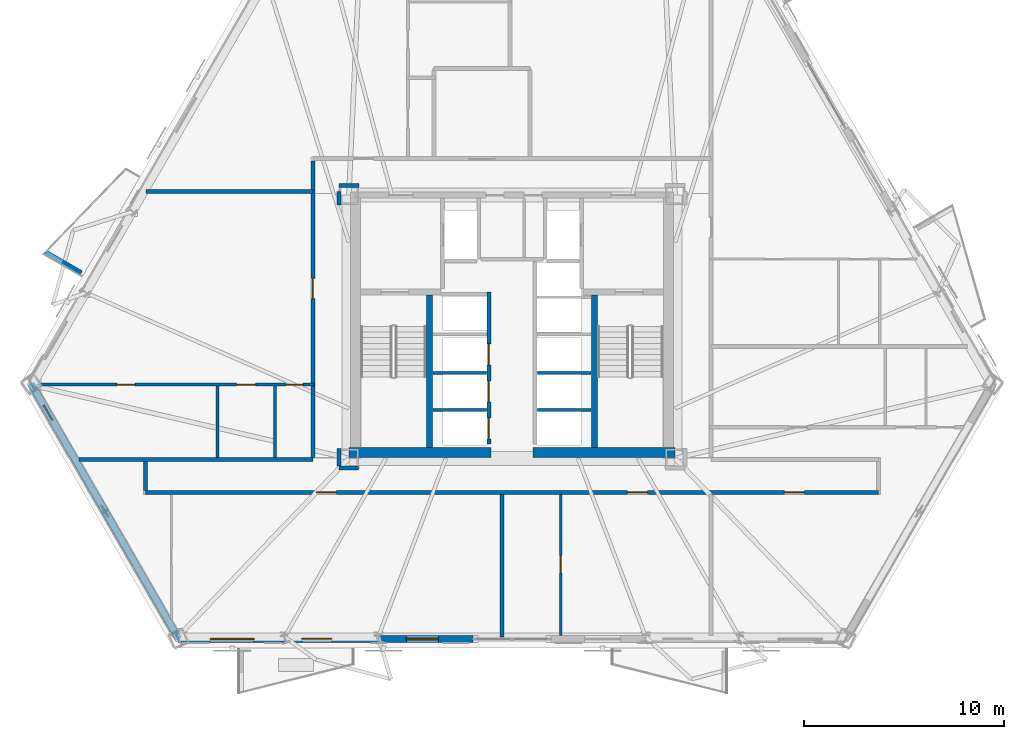
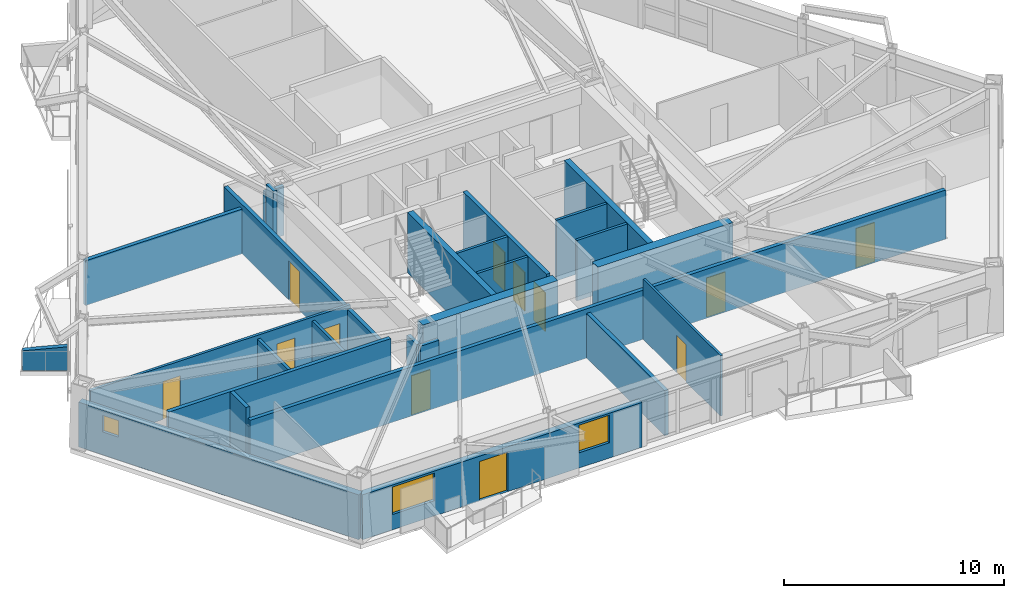
# One storey, part 6 of 15: 26 walls, 12 doors, 3 windows, 15 openings.
"""IFC4 building model written with IfcOpenShell, lengths in metres."""

from ifc_helpers import new_model, si_unit, direction, frame, frame_2d, origin, place, context, subcontext, project, spatial, polyline, rectangle, outline, extrude, material, layer, layer_set, type_object, element, fill, save


model = new_model("IFC4")

# Units and contexts
model_context = context("Model", 3, precision=1e-05, world=origin(), true_north=direction((0.0, 1.0)))
body_context = subcontext(model_context, "Body", "Model", "MODEL_VIEW")
ifc_project = project(units=[si_unit("LENGTHUNIT", "METRE"), si_unit("AREAUNIT", "SQUARE_METRE"), si_unit("VOLUMEUNIT", "CUBIC_METRE"), si_unit("PLANEANGLEUNIT", "RADIAN"), si_unit("MASSUNIT", "GRAM", prefix="KILO")], contexts=[model_context])

# Site, building, storey
site_placement = place(None, origin())
site = spatial("IfcSite", under=ifc_project, at=site_placement, CompositionType="ELEMENT")
building_placement = place(site_placement, origin())
building = spatial("IfcBuilding", under=site, at=building_placement, Name="Oramaril Tower", CompositionType="ELEMENT")
storey_placement = place(building_placement, frame((0.0, 0.0, 48.89990234375)))
storey = spatial("IfcBuildingStorey", under=building, at=storey_placement, Name="L12", CompositionType="ELEMENT", Elevation=48.89990234375)

# Wall, opening, window
ifc_material_1 = material(Name="Warm Cream Limestone", Category="masonry")
ifc_layer_1 = layer(ifc_material_1, 0.340087890625)
ifc_layer_set_1 = layer_set([ifc_layer_1], Name="WT-EXT34")
wall_type_1 = type_object("IfcWallType", Name="WT-EXT34", PredefinedType="SOLIDWALL", material=ifc_layer_set_1)
wall_1_placement = place(storey_placement, frame((13.47900390625, 14.73779296875, 0.0), z_axis=(0.0, 0.0, 1.0), x_axis=(0.499999290135, -0.866025813625, 0.0)))
wall_1 = element("IfcWall", 1, at=wall_1_placement, inside=storey, type_object=wall_type_1, Name="L12 Tower Limestone Facade Wall 1M", PredefinedType="SOLIDWALL", context=body_context, shape_type="SweptSolid", body=[
    extrude(rectangle(XDim=14.7333984375, YDim=0.340087890625, at=frame_2d((7.36669921875, 0.0))), origin(), (0.0, 0.0, 1.0), 2.494140625),
])
opening_1_placement = place(wall_1_placement, frame((1.2509765625, 0.0, 1.280029296875)))
opening_1 = element("IfcOpeningElement", 2, at=opening_1_placement, cuts=wall_1, Name="Opening WN-13", PredefinedType="OPENING", context=body_context, shape_type="SweptSolid", body=[
    extrude(rectangle(XDim=0.85009765625, YDim=0.919921875, at=frame_2d((0.425048828125, 0.4599609375))), frame((0.0, 0.169921875, 0.0), z_axis=(0.0, -1.0, 0.0), x_axis=(1.0, 0.0, 0.0)), (0.0, 0.0, 1.0), 0.340087890625),
])
ifc_material_2 = material(Name="Coastal Low-E Insulated Glass", Category="glass")
window_type_1 = type_object("IfcWindowType", Name="WNT-13", PartitioningType="SINGLE_PANEL", PredefinedType="WINDOW", material=ifc_material_2)
window_1_placement = place(opening_1_placement, origin())
window_1 = element("IfcWindow", 3, at=window_1_placement, inside=storey, type_object=window_type_1, Name="L12 Apartment Bedroom Window WN-13", OverallHeight=0.919921875, OverallWidth=0.85009765625, PartitioningType="SINGLE_PANEL", PredefinedType="WINDOW", context=body_context, shape_type="SweptSolid", body=[
    extrude(rectangle(XDim=0.85009765625, YDim=0.919921875, at=frame_2d((0.425048828125, 0.4599609375))), frame((0.0, 0.030029296875, 0.0), z_axis=(0.0, -1.0, 0.0), x_axis=(1.0, 0.0, 0.0)), (0.0, 0.0, 1.0), 0.06005859375),
])
fill(opening_1, window_1)

# Wall, openings, door, windows
wall_2_placement = place(storey_placement, frame((20.845703125, 1.978271484375, 0.0), z_axis=(0.0, 0.0, 1.0), x_axis=(1.0, 0.0, 0.0)))
wall_2 = element("IfcWall", 4, at=wall_2_placement, inside=storey, type_object=wall_type_1, Name="L12 Tower Limestone Facade Wall 2L", PredefinedType="SOLIDWALL", context=body_context, shape_type="SweptSolid", body=[
    extrude(rectangle(XDim=14.704345703125, YDim=0.340087890625, at=frame_2d((7.35205078125, 0.0))), origin(), (0.0, 0.0, 1.0), 2.494140625),
])
opening_2_placement = place(wall_2_placement, frame((6.159423828125, 0.0, 0.0)))
opening_2 = element("IfcOpeningElement", 5, at=opening_2_placement, cuts=wall_2, Name="Opening D-L12-BAL-S1", PredefinedType="OPENING", context=body_context, shape_type="SweptSolid", body=[
    extrude(rectangle(XDim=1.5, YDim=2.199951171875, at=frame_2d((0.75, 1.10009765625))), frame((0.0, 0.169921875, 0.0), z_axis=(0.0, -1.0, 0.0), x_axis=(1.0, 0.0, 0.0)), (0.0, 0.0, 1.0), 0.340087890625),
])
opening_3_placement = place(wall_2_placement, frame((1.575439453125, 0.0, 0.85009765625)))
opening_3 = element("IfcOpeningElement", 6, at=opening_3_placement, cuts=wall_2, Name="Opening WN-04", PredefinedType="OPENING", context=body_context, shape_type="SweptSolid", body=[
    extrude(rectangle(XDim=2.199951171875, YDim=1.533935546875, at=frame_2d((1.10009765625, 0.76708984375))), frame((0.0, 0.169921875, 0.0), z_axis=(0.0, -1.0, 0.0), x_axis=(1.0, 0.0, 0.0)), (0.0, 0.0, 1.0), 0.340087890625),
])
opening_4_placement = place(wall_2_placement, frame((11.37890625, 0.0, 0.85009765625)))
opening_4 = element("IfcOpeningElement", 7, at=opening_4_placement, cuts=wall_2, Name="Opening WN-07", PredefinedType="OPENING", context=body_context, shape_type="SweptSolid", body=[
    extrude(rectangle(XDim=1.60009765625, YDim=1.533935546875, at=frame_2d((0.800048828125, 0.76708984375))), frame((0.0, 0.169921875, 0.0), z_axis=(0.0, -1.0, 0.0), x_axis=(1.0, 0.0, 0.0)), (0.0, 0.0, 1.0), 0.340087890625),
])
ifc_material_3 = material(Name="Anodised Aluminium 6063-T6", Category="aluminium")
door_type_1 = type_object("IfcDoorType", Name="DT-BAL", OperationType="NOTDEFINED", PredefinedType="DOOR", material=ifc_material_3)
door_1_placement = place(opening_2_placement, origin())
door_1 = element("IfcDoor", 8, at=door_1_placement, inside=storey, type_object=door_type_1, Name="L12 Balcony Glazed Door L12-BAL-S1", OperationType="SINGLE_SWING_LEFT", OverallHeight=2.199951171875, OverallWidth=1.5, PredefinedType="DOOR", context=body_context, shape_type="SweptSolid", body=[
    extrude(rectangle(XDim=1.5, YDim=2.199951171875, at=frame_2d((0.75, 1.10009765625))), frame((0.0, 0.02490234375, 0.0), z_axis=(0.0, -1.0, 0.0), x_axis=(1.0, 0.0, 0.0)), (0.0, 0.0, 1.0), 0.050048828125),
])
fill(opening_2, door_1)
ifc_material_4 = material(Name="Coastal Low-E Insulated Glass", Category="glass")
window_type_2 = type_object("IfcWindowType", Name="WNT-04", PartitioningType="SINGLE_PANEL", PredefinedType="WINDOW", material=ifc_material_4)
window_2_placement = place(opening_3_placement, origin())
window_2 = element("IfcWindow", 9, at=window_2_placement, inside=storey, type_object=window_type_2, Name="L12 Chicago Bay Window WN-04", OverallHeight=1.533935546875, OverallWidth=2.199951171875, PartitioningType="SINGLE_PANEL", PredefinedType="WINDOW", context=body_context, shape_type="SweptSolid", body=[
    extrude(rectangle(XDim=2.199951171875, YDim=1.533935546875, at=frame_2d((1.10009765625, 0.76708984375))), frame((0.0, 0.030029296875, 0.0), z_axis=(0.0, -1.0, 0.0), x_axis=(1.0, 0.0, 0.0)), (0.0, 0.0, 1.0), 0.06005859375),
])
fill(opening_3, window_2)
ifc_material_5 = material(Name="Coastal Low-E Insulated Glass", Category="glass")
window_type_3 = type_object("IfcWindowType", Name="WNT-07", PartitioningType="SINGLE_PANEL", PredefinedType="WINDOW", material=ifc_material_5)
window_3_placement = place(opening_4_placement, origin())
window_3 = element("IfcWindow", 10, at=window_3_placement, inside=storey, type_object=window_type_3, Name="L12 Chicago Bay Window WN-07", OverallHeight=1.533935546875, OverallWidth=1.60009765625, PartitioningType="SINGLE_PANEL", PredefinedType="WINDOW", context=body_context, shape_type="SweptSolid", body=[
    extrude(rectangle(XDim=1.60009765625, YDim=1.533935546875, at=frame_2d((0.800048828125, 0.76708984375))), frame((0.0, 0.030029296875, 0.0), z_axis=(0.0, -1.0, 0.0), x_axis=(1.0, 0.0, 0.0)), (0.0, 0.0, 1.0), 0.06005859375),
])
fill(opening_4, window_3)

# Wall
ifc_material_6 = material(Name="Concrete C40/50", Category="concrete")
ifc_layer_2 = layer(ifc_material_6, 0.22998046875)
ifc_layer_set_2 = layer_set([ifc_layer_2], Name="WT-PRP23")
wall_type_2 = type_object("IfcWallType", Name="WT-PRP23", PredefinedType="PARAPET", material=ifc_layer_set_2)
wall_3_placement = place(storey_placement, frame((15.980712890625, 20.26708984375, 0.0), z_axis=(0.0, 0.0, 1.0), x_axis=(-0.866012356593, 0.500022597718, 0.0)))
element("IfcWall", 11, at=wall_3_placement, inside=storey, type_object=wall_type_2, Name="L12 Trapezoidal Balcony Frame Cheek L12-BAL-NW2-R", PredefinedType="PARAPET", context=body_context, shape_type="SweptSolid", body=[
    extrude(outline(polyline([(0.0, 0.0), (2.0419921875, 0.0), (2.0419921875, 1.10009765625), (0.0, 1.320068359375), (0.0, 0.0)])), frame((0.0, 0.114990234375, 0.0), z_axis=(0.0, -1.0, 0.0), x_axis=(1.0, 0.0, 0.0)), (0.0, 0.0, 1.0), 0.22998046875),
])

# Wall, opening, door
ifc_material_7 = material(Name="Acoustic Gypsum Board Partition")
ifc_layer_3 = layer(ifc_material_7, 0.1201171875)
ifc_layer_set_3 = layer_set([ifc_layer_3], Name="WT-PT12")
wall_type_3 = type_object("IfcWallType", Name="WT-PT12", PredefinedType="PARTITIONING", material=ifc_layer_set_3)
wall_4_placement = place(storey_placement, frame((39.929931640625, 2.15234375, 0.0), z_axis=(0.0, 0.0, 1.0), x_axis=(0.0, 1.0, 0.0)))
wall_4 = element("IfcWall", 12, at=wall_4_placement, inside=storey, type_object=wall_type_3, Name="L12 Interior Partition PT-12", PredefinedType="PARTITIONING", context=body_context, shape_type="SweptSolid", body=[
    extrude(rectangle(XDim=7.043701171875, YDim=0.1201171875, at=frame_2d((3.52197265625, 0.0))), origin(), (0.0, 0.0, 1.0), 3.360107421875),
])
opening_5_placement = place(wall_4_placement, frame((3.121826171875, 0.0, 0.0)))
opening_5 = element("IfcOpeningElement", 13, at=opening_5_placement, cuts=wall_4, Name="Opening D-L12-23", PredefinedType="OPENING", context=body_context, shape_type="SweptSolid", body=[
    extrude(rectangle(XDim=0.8798828125, YDim=2.080078125, at=frame_2d((0.43994140625, 1.0400390625))), frame((0.0, 0.06005859375, 0.0), z_axis=(0.0, -1.0, 0.0), x_axis=(1.0, 0.0, 0.0)), (0.0, 0.0, 1.0), 0.1201171875),
])
ifc_material_8 = material(Name="FSC Brazilian Freijo Hardwood", Category="wood")
door_type_2 = type_object("IfcDoorType", Name="DT-BATH", OperationType="NOTDEFINED", PredefinedType="DOOR", material=ifc_material_8)
door_2_placement = place(opening_5_placement, origin())
door_2 = element("IfcDoor", 14, at=door_2_placement, inside=storey, type_object=door_type_2, Name="L12 Flat L12-U2 Bathroom Door D-L12-23", OperationType="SINGLE_SWING_RIGHT", OverallHeight=2.080078125, OverallWidth=0.8798828125, PredefinedType="DOOR", context=body_context, shape_type="SweptSolid", body=[
    extrude(rectangle(XDim=0.8798828125, YDim=2.080078125, at=frame_2d((0.43994140625, 1.0400390625))), frame((0.0, 0.02490234375, 0.0), z_axis=(0.0, -1.0, 0.0), x_axis=(1.0, 0.0, 0.0)), (0.0, 0.0, 1.0), 0.050048828125),
])
fill(opening_5, door_2)

# Walls
ifc_material_9 = material(Name="Acoustic Gypsum Board Partition")
ifc_layer_4 = layer(ifc_material_9, 0.139892578125)
ifc_layer_set_4 = layer_set([ifc_layer_4], Name="WT-PT14")
wall_type_4 = type_object("IfcWallType", Name="WT-PT14", PredefinedType="PARTITIONING", material=ifc_layer_set_4)
for number, where, z_axis, x_axis, name in (
    (15, (33.56005859375, 13.419921875, 0.0), (0.0, 0.0, 1.0), (1.0, 0.0, 0.0), "L12 West Lift Divider"),
    (16, (33.56005859375, 15.27001953125, 0.0), (0.0, 0.0, 1.0), (1.0, 0.0, 0.0), "L12 West Lift Divider"),
    (17, (38.780029296875, 13.419921875, 0.0), (0.0, 0.0, 1.0), (1.0, 0.0, 0.0), "L12 East Lift Divider"),
    (18, (38.780029296875, 15.27001953125, 0.0), (0.0, 0.0, 1.0), (1.0, 0.0, 0.0), "L12 East Lift Divider"),
):
    element("IfcWall", number, at=place(storey_placement, frame(where, z_axis=z_axis, x_axis=x_axis)), inside=storey, type_object=wall_type_4, Name=name, PredefinedType="PARTITIONING", context=body_context, shape_type="SweptSolid", body=[
        extrude(rectangle(XDim=2.659912109375, YDim=0.139892578125, at=frame_2d((1.330078125, 0.0))), origin(), (0.0, 0.0, 1.0), 3.360107421875),
    ])

# Wall, openings, doors
wall_5_placement = place(storey_placement, frame((13.92529296875, 14.68994140625, 0.0), z_axis=(0.0, 0.0, 1.0), x_axis=(1.0, 0.0, 0.0)))
wall_5 = element("IfcWall", 19, at=wall_5_placement, inside=storey, type_object=wall_type_4, Name="L12 Interior Partition PT-14", PredefinedType="PARTITIONING", context=body_context, shape_type="SweptSolid", body=[
    extrude(rectangle(XDim=13.6748046875, YDim=0.139892578125, at=frame_2d((6.83740234375, 0.0))), origin(), (0.0, 0.0, 1.0), 2.946044921875),
])
opening_6_placement = place(wall_5_placement, frame((3.831298828125, 0.0, 0.0)))
opening_6 = element("IfcOpeningElement", 20, at=opening_6_placement, cuts=wall_5, Name="Opening D-L12-07", PredefinedType="OPENING", context=body_context, shape_type="SweptSolid", body=[
    extrude(rectangle(XDim=0.919921875, YDim=2.1201171875, at=frame_2d((0.4599609375, 1.06005859375))), frame((0.0, 0.06982421875, 0.0), z_axis=(0.0, -1.0, 0.0), x_axis=(1.0, 0.0, 0.0)), (0.0, 0.0, 1.0), 0.139892578125),
])
opening_7_placement = place(wall_5_placement, frame((9.822265625, 0.0, 0.0)))
opening_7 = element("IfcOpeningElement", 21, at=opening_7_placement, cuts=wall_5, Name="Opening D-L12-08", PredefinedType="OPENING", context=body_context, shape_type="SweptSolid", body=[
    extrude(rectangle(XDim=0.949951171875, YDim=2.10009765625, at=frame_2d((0.47509765625, 1.050048828125))), frame((0.0, 0.06982421875, 0.0), z_axis=(0.0, -1.0, 0.0), x_axis=(1.0, 0.0, 0.0)), (0.0, 0.0, 1.0), 0.139892578125),
])
opening_8_placement = place(wall_5_placement, frame((12.254638671875, 0.0, 0.0)))
opening_8 = element("IfcOpeningElement", 22, at=opening_8_placement, cuts=wall_5, Name="Opening D-L12-09", PredefinedType="OPENING", context=body_context, shape_type="SweptSolid", body=[
    extrude(rectangle(XDim=0.8798828125, YDim=2.080078125, at=frame_2d((0.43994140625, 1.0400390625))), frame((0.0, 0.06982421875, 0.0), z_axis=(0.0, -1.0, 0.0), x_axis=(1.0, 0.0, 0.0)), (0.0, 0.0, 1.0), 0.139892578125),
])
door_3_placement = place(opening_8_placement, origin())
door_3 = element("IfcDoor", 23, at=door_3_placement, inside=storey, type_object=door_type_2, Name="L12 Flat L12-U3 Bathroom Door D-L12-09", OperationType="SINGLE_SWING_RIGHT", OverallHeight=2.080078125, OverallWidth=0.8798828125, PredefinedType="DOOR", context=body_context, shape_type="SweptSolid", body=[
    extrude(rectangle(XDim=0.8798828125, YDim=2.080078125, at=frame_2d((0.43994140625, 1.0400390625))), frame((0.0, 0.02490234375, 0.0), z_axis=(0.0, -1.0, 0.0), x_axis=(1.0, 0.0, 0.0)), (0.0, 0.0, 1.0), 0.050048828125),
])
fill(opening_8, door_3)
ifc_material_10 = material(Name="FSC Brazilian Freijo Hardwood", Category="wood")
door_type_3 = type_object("IfcDoorType", Name="DT-BED", OperationType="NOTDEFINED", PredefinedType="DOOR", material=ifc_material_10)
door_4_placement = place(opening_6_placement, origin())
door_4 = element("IfcDoor", 24, at=door_4_placement, inside=storey, type_object=door_type_3, Name="L12 Flat L12-U3 Master Bedroom Door D-L12-07", OperationType="SINGLE_SWING_RIGHT", OverallHeight=2.1201171875, OverallWidth=0.919921875, PredefinedType="DOOR", context=body_context, shape_type="SweptSolid", body=[
    extrude(rectangle(XDim=0.919921875, YDim=2.1201171875, at=frame_2d((0.4599609375, 1.06005859375))), frame((0.0, 0.02490234375, 0.0), z_axis=(0.0, -1.0, 0.0), x_axis=(1.0, 0.0, 0.0)), (0.0, 0.0, 1.0), 0.050048828125),
])
fill(opening_6, door_4)
ifc_material_11 = material(Name="FSC Brazilian Freijo Hardwood", Category="wood")
door_type_4 = type_object("IfcDoorType", Name="DT-STDY", OperationType="NOTDEFINED", PredefinedType="DOOR", material=ifc_material_11)
door_5_placement = place(opening_7_placement, origin())
door_5 = element("IfcDoor", 25, at=door_5_placement, inside=storey, type_object=door_type_4, Name="L12 Flat L12-U3 Kitchen Door D-L12-08", OperationType="SINGLE_SWING_LEFT", OverallHeight=2.10009765625, OverallWidth=0.949951171875, PredefinedType="DOOR", context=body_context, shape_type="SweptSolid", body=[
    extrude(rectangle(XDim=0.949951171875, YDim=2.10009765625, at=frame_2d((0.47509765625, 1.050048828125))), frame((0.0, 0.02490234375, 0.0), z_axis=(0.0, -1.0, 0.0), x_axis=(1.0, 0.0, 0.0)), (0.0, 0.0, 1.0), 0.050048828125),
])
fill(opening_7, door_5)

# Walls
wall_6_placement = place(storey_placement, frame((25.659912109375, 11.053955078125, 0.0), z_axis=(0.0, 0.0, 1.0), x_axis=(0.0, 1.0, 0.0)))
element("IfcWall", 26, at=wall_6_placement, inside=storey, type_object=wall_type_4, Name="L12 Interior Partition PT-14", PredefinedType="PARTITIONING", context=body_context, shape_type="SweptSolid", body=[
    extrude(rectangle(XDim=3.56201171875, YDim=0.139892578125, at=frame_2d((1.781005859375, 0.0))), origin(), (0.0, 0.0, 1.0), 2.738037109375),
])
ifc_material_12 = material(Name="Acoustic Gypsum Board Partition")
ifc_layer_5 = layer(ifc_material_12, 0.159912109375)
ifc_layer_set_5 = layer_set([ifc_layer_5], Name="WT-PT16")
wall_type_5 = type_object("IfcWallType", Name="WT-PT16", PredefinedType="PARTITIONING", material=ifc_layer_set_5)
wall_7_placement = place(storey_placement, frame((22.7900390625, 11.053955078125, 0.0), z_axis=(0.0, 0.0, 1.0), x_axis=(0.0, 1.0, 0.0)))
element("IfcWall", 27, at=wall_7_placement, inside=storey, type_object=wall_type_5, Name="L12 Interior Partition PT-16", PredefinedType="PARTITIONING", context=body_context, shape_type="SweptSolid", body=[
    extrude(rectangle(XDim=3.56201171875, YDim=0.159912109375, at=frame_2d((1.781005859375, 0.0))), origin(), (0.0, 0.0, 1.0), 2.738037109375),
])

# Wall, openings, doors
ifc_material_13 = material(Name="Autoclaved Cellular Concrete Block", Category="concrete")
ifc_layer_6 = layer(ifc_material_13, 0.199951171875)
ifc_layer_set_6 = layer_set([ifc_layer_6], Name="WT-PT20")
wall_type_6 = type_object("IfcWallType", Name="WT-PT20", PredefinedType="PARTITIONING", material=ifc_layer_set_6)
wall_8_placement = place(storey_placement, frame((19.199951171875, 9.300048828125, 0.0), z_axis=(0.0, 0.0, 1.0), x_axis=(1.0, 0.0, 0.0)))
wall_8 = element("IfcWall", 28, at=wall_8_placement, inside=storey, type_object=wall_type_6, Name="L12 Interior Partition PT-20", PredefinedType="PARTITIONING", context=body_context, shape_type="SweptSolid", body=[
    extrude(rectangle(XDim=36.60009765625, YDim=0.199951171875, at=frame_2d((18.300048828125, 0.0))), origin(), (0.0, 0.0, 1.0), 2.738037109375),
])
opening_9_placement = place(wall_8_placement, frame((8.527099609375, 0.0, 0.0)))
opening_9 = element("IfcOpeningElement", 29, at=opening_9_placement, cuts=wall_8, Name="Opening D-L12-01", PredefinedType="OPENING", context=body_context, shape_type="SweptSolid", body=[
    extrude(rectangle(XDim=1.0, YDim=2.179931640625, at=frame_2d((0.5, 1.08984375))), frame((0.0, 0.10009765625, 0.0), z_axis=(0.0, -1.0, 0.0), x_axis=(1.0, 0.0, 0.0)), (0.0, 0.0, 1.0), 0.199951171875),
])
opening_10_placement = place(wall_8_placement, frame((24.0615234375, 0.0, 0.0)))
opening_10 = element("IfcOpeningElement", 30, at=opening_10_placement, cuts=wall_8, Name="Opening D-L12-02", PredefinedType="OPENING", context=body_context, shape_type="SweptSolid", body=[
    extrude(rectangle(XDim=1.0, YDim=2.179931640625, at=frame_2d((0.5, 1.08984375))), frame((0.0, 0.10009765625, 0.0), z_axis=(0.0, -1.0, 0.0), x_axis=(1.0, 0.0, 0.0)), (0.0, 0.0, 1.0), 0.199951171875),
])
opening_11_placement = place(wall_8_placement, frame((31.904052734375, 0.0, 0.0)))
opening_11 = element("IfcOpeningElement", 31, at=opening_11_placement, cuts=wall_8, Name="Opening D-L12-03", PredefinedType="OPENING", context=body_context, shape_type="SweptSolid", body=[
    extrude(rectangle(XDim=1.0, YDim=2.179931640625, at=frame_2d((0.5, 1.08984375))), frame((0.0, 0.10009765625, 0.0), z_axis=(0.0, -1.0, 0.0), x_axis=(1.0, 0.0, 0.0)), (0.0, 0.0, 1.0), 0.199951171875),
])
ifc_material_14 = material(Name="FSC Brazilian Freijo Hardwood", Category="wood")
door_type_5 = type_object("IfcDoorType", Name="DT-APT", OperationType="NOTDEFINED", PredefinedType="DOOR", material=ifc_material_14)
door_6_placement = place(opening_9_placement, origin())
door_6 = element("IfcDoor", 32, at=door_6_placement, inside=storey, type_object=door_type_5, Name="L12 Flat L12-U1 Kitchen and Studio Apartment Door D-L12-01", OperationType="SINGLE_SWING_RIGHT", OverallHeight=2.179931640625, OverallWidth=1.0, PredefinedType="DOOR", context=body_context, shape_type="SweptSolid", body=[
    extrude(rectangle(XDim=1.0, YDim=2.179931640625, at=frame_2d((0.5, 1.08984375))), frame((0.0, 0.02490234375, 0.0), z_axis=(0.0, -1.0, 0.0), x_axis=(1.0, 0.0, 0.0)), (0.0, 0.0, 1.0), 0.050048828125),
])
fill(opening_9, door_6)
door_7_placement = place(opening_10_placement, origin())
door_7 = element("IfcDoor", 33, at=door_7_placement, inside=storey, type_object=door_type_5, Name="L12 Flat L12-U2 Kitchen and Studio Apartment Door D-L12-02", OperationType="SINGLE_SWING_LEFT", OverallHeight=2.179931640625, OverallWidth=1.0, PredefinedType="DOOR", context=body_context, shape_type="SweptSolid", body=[
    extrude(rectangle(XDim=1.0, YDim=2.179931640625, at=frame_2d((0.5, 1.08984375))), frame((0.0, 0.02490234375, 0.0), z_axis=(0.0, -1.0, 0.0), x_axis=(1.0, 0.0, 0.0)), (0.0, 0.0, 1.0), 0.050048828125),
])
fill(opening_10, door_7)
door_8_placement = place(opening_11_placement, origin())
door_8 = element("IfcDoor", 34, at=door_8_placement, inside=storey, type_object=door_type_5, Name="L12 Flat L12-U4 Penthouse Living and Dining Room Door D-L12-03", OperationType="SINGLE_SWING_RIGHT", OverallHeight=2.179931640625, OverallWidth=1.0, PredefinedType="DOOR", context=body_context, shape_type="SweptSolid", body=[
    extrude(rectangle(XDim=1.0, YDim=2.179931640625, at=frame_2d((0.5, 1.08984375))), frame((0.0, 0.02490234375, 0.0), z_axis=(0.0, -1.0, 0.0), x_axis=(1.0, 0.0, 0.0)), (0.0, 0.0, 1.0), 0.050048828125),
])
fill(opening_11, door_8)

# Walls
wall_9_placement = place(storey_placement, frame((28.860107421875, 10.510009765625, 0.0), z_axis=(0.0, 0.0, 1.0), x_axis=(1.0, 0.0, 0.0)))
element("IfcWall", 35, at=wall_9_placement, inside=storey, type_object=wall_type_6, Name="L12 Interior Partition PT-20", PredefinedType="PARTITIONING", context=body_context, shape_type="SweptSolid", body=[
    extrude(rectangle(XDim=0.97998046875, YDim=0.199951171875, at=frame_2d((0.489990234375, 0.0))), origin(), (0.0, 0.0, 1.0), 2.738037109375),
])
wall_10_placement = place(storey_placement, frame((15.86669921875, 10.949951171875, 0.0), z_axis=(0.0, 0.0, 1.0), x_axis=(1.0, 0.0, 0.0)))
element("IfcWall", 36, at=wall_10_placement, inside=storey, type_object=wall_type_6, Name="L12 Interior Partition PT-20", PredefinedType="PARTITIONING", context=body_context, shape_type="SweptSolid", body=[
    extrude(rectangle(XDim=11.683349609375, YDim=0.199951171875, at=frame_2d((5.841796875, 0.0))), origin(), (0.0, 0.0, 1.0), 3.360107421875),
])
wall_11_placement = place(storey_placement, frame((19.212158203125, 24.320068359375, 0.0), z_axis=(0.0, 0.0, 1.0), x_axis=(1.0, 0.0, 0.0)))
element("IfcWall", 37, at=wall_11_placement, inside=storey, type_object=wall_type_6, Name="L12 Interior Partition PT-20", PredefinedType="PARTITIONING", context=body_context, shape_type="SweptSolid", body=[
    extrude(rectangle(XDim=8.337890625, YDim=0.199951171875, at=frame_2d((4.1689453125, 0.0))), origin(), (0.0, 0.0, 1.0), 2.494140625),
])
wall_12_placement = place(storey_placement, frame((28.85498046875, 24.639892578125, 0.0), z_axis=(0.0, 0.0, 1.0), x_axis=(1.0, 0.0, 0.0)))
element("IfcWall", 38, at=wall_12_placement, inside=storey, type_object=wall_type_6, Name="L12 Interior Partition PT-20", PredefinedType="PARTITIONING", context=body_context, shape_type="SweptSolid", body=[
    extrude(rectangle(XDim=0.989990234375, YDim=0.199951171875, at=frame_2d((0.4951171875, 0.0))), origin(), (0.0, 0.0, 1.0), 2.738037109375),
])
wall_13_placement = place(storey_placement, frame((19.199951171875, 9.404052734375, 0.0), z_axis=(0.0, 0.0, 1.0), x_axis=(0.0, 1.0, 0.0)))
element("IfcWall", 39, at=wall_13_placement, inside=storey, type_object=wall_type_6, Name="L12 Interior Partition PT-20", PredefinedType="PARTITIONING", context=body_context, shape_type="SweptSolid", body=[
    extrude(rectangle(XDim=1.44189453125, YDim=0.199951171875, at=frame_2d((0.720947265625, 0.0))), origin(), (0.0, 0.0, 1.0), 3.360107421875),
])

# Wall, opening, door
wall_14_placement = place(storey_placement, frame((27.550048828125, 11.053955078125, 0.0), z_axis=(0.0, 0.0, 1.0), x_axis=(0.0, 1.0, 0.0)))
wall_14 = element("IfcWall", 40, at=wall_14_placement, inside=storey, type_object=wall_type_6, Name="L12 Interior Partition PT-20", PredefinedType="PARTITIONING", context=body_context, shape_type="SweptSolid", body=[
    extrude(rectangle(XDim=14.81201171875, YDim=0.199951171875, at=frame_2d((7.406005859375, 0.0))), origin(), (0.0, 0.0, 1.0), 2.738037109375),
])
opening_12_placement = place(wall_14_placement, frame((7.931884765625, 0.0, 0.0)))
opening_12 = element("IfcOpeningElement", 41, at=opening_12_placement, cuts=wall_14, Name="Opening D-L12-16", PredefinedType="OPENING", context=body_context, shape_type="SweptSolid", body=[
    extrude(rectangle(XDim=1.0, YDim=2.179931640625, at=frame_2d((0.5, 1.08984375))), frame((0.0, 0.10009765625, 0.0), z_axis=(0.0, -1.0, 0.0), x_axis=(1.0, 0.0, 0.0)), (0.0, 0.0, 1.0), 0.199951171875),
])
door_9_placement = place(opening_12_placement, origin())
door_9 = element("IfcDoor", 42, at=door_9_placement, inside=storey, type_object=door_type_5, Name="L12 Flat L12-U3 Penthouse Living and Dining Room Door D-L12-16", OperationType="SINGLE_SWING_LEFT", OverallHeight=2.179931640625, OverallWidth=1.0, PredefinedType="DOOR", context=body_context, shape_type="SweptSolid", body=[
    extrude(rectangle(XDim=1.0, YDim=2.179931640625, at=frame_2d((0.5, 1.08984375))), frame((0.0, 0.02490234375, 0.0), z_axis=(0.0, -1.0, 0.0), x_axis=(1.0, 0.0, 0.0)), (0.0, 0.0, 1.0), 0.050048828125),
])
fill(opening_12, door_9)

# Walls
wall_15_placement = place(storey_placement, frame((28.860107421875, 10.614013671875, 0.0), z_axis=(0.0, 0.0, 1.0), x_axis=(0.0, 1.0, 0.0)))
element("IfcWall", 43, at=wall_15_placement, inside=storey, type_object=wall_type_6, Name="L12 Interior Partition PT-20", PredefinedType="PARTITIONING", context=body_context, shape_type="SweptSolid", body=[
    extrude(rectangle(XDim=0.881103515625, YDim=0.199951171875, at=frame_2d((0.4404296875, 0.0))), origin(), (0.0, 0.0, 1.0), 2.738037109375),
])
wall_16_placement = place(storey_placement, frame((28.860107421875, 23.655029296875, 0.0), z_axis=(0.0, 0.0, 1.0), x_axis=(0.0, 1.0, 0.0)))
element("IfcWall", 44, at=wall_16_placement, inside=storey, type_object=wall_type_6, Name="L12 Interior Partition PT-20", PredefinedType="PARTITIONING", context=body_context, shape_type="SweptSolid", body=[
    extrude(rectangle(XDim=0.6650390625, YDim=0.199951171875, at=frame_2d((0.33251953125, 0.0))), origin(), (0.0, 0.0, 1.0), 3.360107421875),
])
wall_17_placement = place(storey_placement, frame((37.0, 2.072265625, 0.0), z_axis=(0.0, 0.0, 1.0), x_axis=(0.0, 1.0, 0.0)))
element("IfcWall", 45, at=wall_17_placement, inside=storey, type_object=wall_type_6, Name="L12 Interior Partition PT-20", PredefinedType="PARTITIONING", context=body_context, shape_type="SweptSolid", body=[
    extrude(rectangle(XDim=7.123779296875, YDim=0.199951171875, at=frame_2d((3.56201171875, 0.0))), origin(), (0.0, 0.0, 1.0), 2.494140625),
])
ifc_material_15 = material(Name="Concrete C50/60", Category="concrete")
ifc_layer_7 = layer(ifc_material_15, 0.300048828125)
ifc_layer_set_7 = layer_set([ifc_layer_7], Name="WT-SH30")
wall_type_7 = type_object("IfcWallType", Name="WT-SH30", PredefinedType="SHEAR", material=ifc_layer_set_7)
for number, where, z_axis, x_axis, name in (
    (46, (33.3798828125, 11.5400390625, 0.0), (0.0, 0.0, 1.0), (0.0, 1.0, 0.0), "L12 Core Shear Wall CW-ST1E"),
    (47, (41.6201171875, 11.5400390625, 0.0), (0.0, 0.0, 1.0), (0.0, 1.0, 0.0), "L12 Core Shear Wall CW-ST2W"),
):
    element("IfcWall", number, at=place(storey_placement, frame(where, z_axis=z_axis, x_axis=x_axis)), inside=storey, type_object=wall_type_7, Name=name, PredefinedType="SHEAR", context=body_context, shape_type="SweptSolid", body=[
        extrude(rectangle(XDim=7.619873046875, YDim=0.300048828125, at=frame_2d((3.81005859375, 0.0))), origin(), (0.0, 0.0, 1.0), 3.360107421875),
    ])
ifc_material_16 = material(Name="Concrete C50/60", Category="concrete")
ifc_layer_8 = layer(ifc_material_16, 0.5)
ifc_layer_set_8 = layer_set([ifc_layer_8], Name="WT-SH50")
wall_type_8 = type_object("IfcWallType", Name="WT-SH50", PredefinedType="SHEAR", material=ifc_layer_set_8)
for number, where, z_axis, x_axis, name in (
    (48, (29.35009765625, 11.2900390625, 0.0), (0.0, 0.0, 1.0), (1.0, 0.0, 0.0), "L12 Core Shear Wall CW-SW"),
    (49, (38.550048828125, 11.2900390625, 0.0), (0.0, 0.0, 1.0), (1.0, 0.0, 0.0), "L12 Core Shear Wall CW-SE"),
):
    element("IfcWall", number, at=place(storey_placement, frame(where, z_axis=z_axis, x_axis=x_axis)), inside=storey, type_object=wall_type_8, Name=name, PredefinedType="SHEAR", context=body_context, shape_type="SweptSolid", body=[
        extrude(rectangle(XDim=7.099853515625, YDim=0.5, at=frame_2d((3.5498046875, 0.0))), origin(), (0.0, 0.0, 1.0), 3.360107421875),
    ])

# Wall, openings, doors
ifc_material_17 = material(Name="Autoclaved Cellular Concrete Block", Category="concrete")
ifc_layer_9 = layer(ifc_material_17, 0.199951171875)
ifc_layer_set_9 = layer_set([ifc_layer_9], Name="WT-SHF20")
wall_type_9 = type_object("IfcWallType", Name="WT-SHF20", PredefinedType="PARTITIONING", material=ifc_layer_set_9)
wall_18_placement = place(storey_placement, frame((36.340087890625, 11.719970703125, 0.0), z_axis=(0.0, 0.0, 1.0), x_axis=(0.0, 1.0, 0.0)))
wall_18 = element("IfcWall", 50, at=wall_18_placement, inside=storey, type_object=wall_type_9, Name="L12 West Lift Bank Front Wall", PredefinedType="PARTITIONING", context=body_context, shape_type="SweptSolid", body=[
    extrude(rectangle(XDim=7.60009765625, YDim=0.199951171875, at=frame_2d((3.800048828125, 0.0))), origin(), (0.0, 0.0, 1.0), 3.360107421875),
])
opening_13_placement = place(wall_18_placement, frame((0.2548828125, 0.0, 0.0)))
opening_13 = element("IfcOpeningElement", 51, at=opening_13_placement, cuts=wall_18, Name="Opening LD-L12-LP-L1", PredefinedType="OPENING", context=body_context, shape_type="SweptSolid", body=[
    extrude(rectangle(XDim=1.050048828125, YDim=2.14990234375, at=frame_2d((0.52490234375, 1.074951171875))), frame((0.0, 0.10009765625, 0.0), z_axis=(0.0, -1.0, 0.0), x_axis=(1.0, 0.0, 0.0)), (0.0, 0.0, 1.0), 0.199951171875),
])
opening_14_placement = place(wall_18_placement, frame((2.10498046875, 0.0, 0.0)))
opening_14 = element("IfcOpeningElement", 52, at=opening_14_placement, cuts=wall_18, Name="Opening LD-L12-LP-L2", PredefinedType="OPENING", context=body_context, shape_type="SweptSolid", body=[
    extrude(rectangle(XDim=1.050048828125, YDim=2.14990234375, at=frame_2d((0.52490234375, 1.074951171875))), frame((0.0, 0.10009765625, 0.0), z_axis=(0.0, -1.0, 0.0), x_axis=(1.0, 0.0, 0.0)), (0.0, 0.0, 1.0), 0.199951171875),
])
opening_15_placement = place(wall_18_placement, frame((3.955078125, 0.0, 0.0)))
opening_15 = element("IfcOpeningElement", 53, at=opening_15_placement, cuts=wall_18, Name="Opening LD-L12-LP-L3", PredefinedType="OPENING", context=body_context, shape_type="SweptSolid", body=[
    extrude(rectangle(XDim=1.050048828125, YDim=2.14990234375, at=frame_2d((0.52490234375, 1.074951171875))), frame((0.0, 0.10009765625, 0.0), z_axis=(0.0, -1.0, 0.0), x_axis=(1.0, 0.0, 0.0)), (0.0, 0.0, 1.0), 0.199951171875),
])
ifc_material_18 = material(Name="Stainless Steel 316L", Category="steel")
door_type_6 = type_object("IfcDoorType", Name="DT-LD2", OperationType="NOTDEFINED", PredefinedType="DOOR", material=ifc_material_18)
door_10_placement = place(opening_13_placement, origin())
door_10 = element("IfcDoor", 54, at=door_10_placement, inside=storey, type_object=door_type_6, Name="L12 Lift LP-L1 Sliding Landing Door", OperationType="SLIDING_TO_LEFT", OverallHeight=2.14990234375, OverallWidth=1.050048828125, PredefinedType="DOOR", context=body_context, shape_type="SweptSolid", body=[
    extrude(rectangle(XDim=1.050048828125, YDim=2.14990234375, at=frame_2d((0.52490234375, 1.074951171875))), frame((0.0, 0.02490234375, 0.0), z_axis=(0.0, -1.0, 0.0), x_axis=(1.0, 0.0, 0.0)), (0.0, 0.0, 1.0), 0.050048828125),
])
fill(opening_13, door_10)
door_11_placement = place(opening_14_placement, origin())
door_11 = element("IfcDoor", 55, at=door_11_placement, inside=storey, type_object=door_type_6, Name="L12 Lift LP-L2 Sliding Landing Door", OperationType="SLIDING_TO_RIGHT", OverallHeight=2.14990234375, OverallWidth=1.050048828125, PredefinedType="DOOR", context=body_context, shape_type="SweptSolid", body=[
    extrude(rectangle(XDim=1.050048828125, YDim=2.14990234375, at=frame_2d((0.52490234375, 1.074951171875))), frame((0.0, 0.02490234375, 0.0), z_axis=(0.0, -1.0, 0.0), x_axis=(1.0, 0.0, 0.0)), (0.0, 0.0, 1.0), 0.050048828125),
])
fill(opening_14, door_11)
door_12_placement = place(opening_15_placement, origin())
door_12 = element("IfcDoor", 56, at=door_12_placement, inside=storey, type_object=door_type_6, Name="L12 Lift LP-L3 Sliding Landing Door", OperationType="SLIDING_TO_LEFT", OverallHeight=2.14990234375, OverallWidth=1.050048828125, PredefinedType="DOOR", context=body_context, shape_type="SweptSolid", body=[
    extrude(rectangle(XDim=1.050048828125, YDim=2.14990234375, at=frame_2d((0.52490234375, 1.074951171875))), frame((0.0, 0.02490234375, 0.0), z_axis=(0.0, -1.0, 0.0), x_axis=(1.0, 0.0, 0.0)), (0.0, 0.0, 1.0), 0.050048828125),
])
fill(opening_15, door_12)

save(model, "model.ifc")
